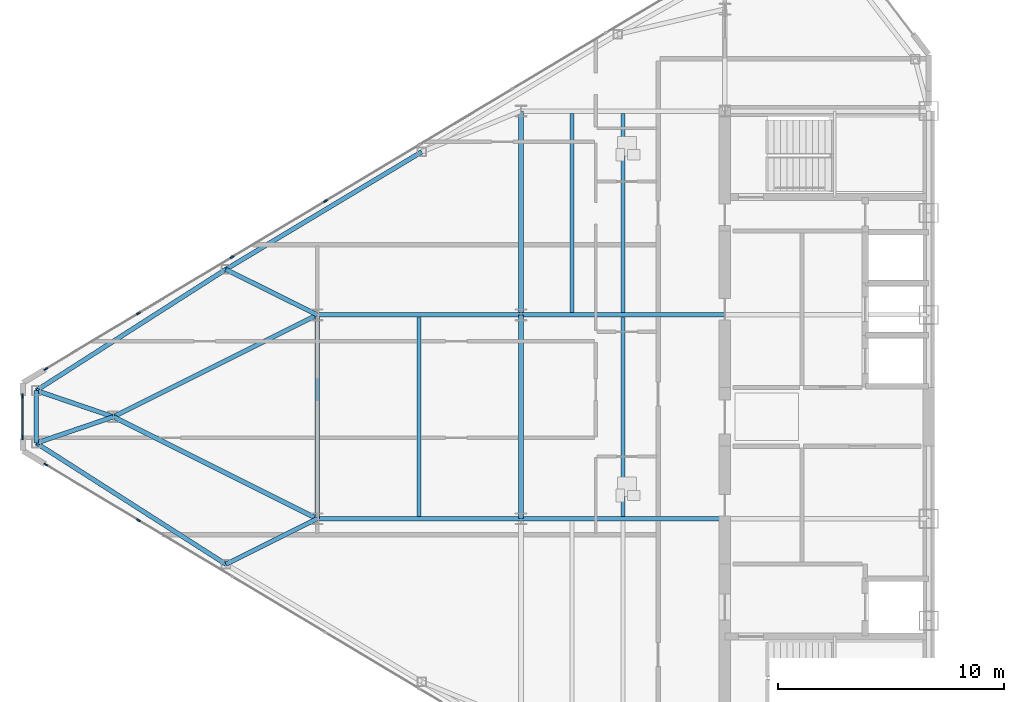
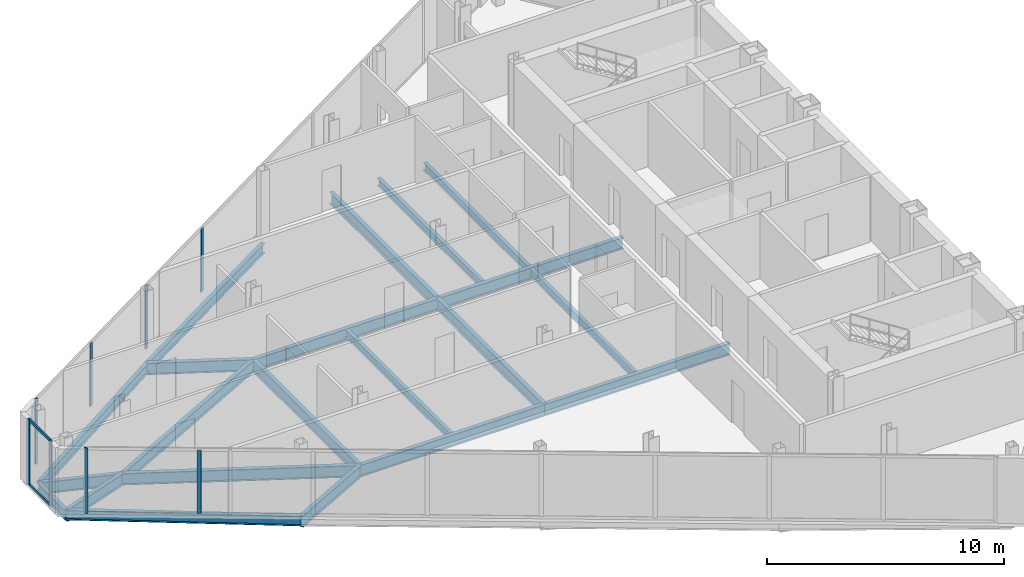
# One storey, part 7 of 25: 21 beams, 10 members, 3 elements without a shape of their own.
"""IFC4 building model written with IfcOpenShell, lengths in metres."""

from ifc_helpers import new_model, si_unit, direction, frame, origin, origin_2d, place, context, subcontext, project, spatial, rectangle, i_section, extrude, source, transform, mapped, material, layer, layer_set, material_profile, profile_set, type_object, type_shapes, element, aggregate, save


model = new_model("IFC4")

# Units and contexts
model_context = context("Model", 3, precision=1e-05, world=origin(), true_north=direction((0.0, 1.0)))
body_context = subcontext(model_context, "Body", "Model", "MODEL_VIEW")
ifc_project = project(units=[si_unit("LENGTHUNIT", "METRE"), si_unit("AREAUNIT", "SQUARE_METRE"), si_unit("VOLUMEUNIT", "CUBIC_METRE"), si_unit("PLANEANGLEUNIT", "RADIAN"), si_unit("MASSUNIT", "GRAM", prefix="KILO")], contexts=[model_context])

# Site, building, storey
site_placement = place(None, origin())
site = spatial("IfcSite", under=ifc_project, at=site_placement, CompositionType="ELEMENT")
building_placement = place(site_placement, origin())
building = spatial("IfcBuilding", under=site, at=building_placement, Name="Seokmaru Belvedere", CompositionType="ELEMENT")
storey_placement = place(building_placement, frame((0.0, 0.0, 213.89990234375)))
storey = spatial("IfcBuildingStorey", under=building, at=storey_placement, Name="L57", CompositionType="ELEMENT", Elevation=213.89990234375)

# Beams
ifc_material_1 = material(Name="Steel SM355 (355 MPa)", Category="steel")
ifc_material_profile_1 = material_profile(ifc_material_1, i_section(OverallWidth=0.199951171875, OverallDepth=0.60009765625, WebThickness=0.010986328125, FlangeThickness=0.01708984375, at=origin_2d()), Name="H-600x200x11x17")
ifc_profile_set_1 = profile_set([ifc_material_profile_1], Name="Steel SM355 (355 MPa)")
beam_type_1 = type_object("IfcBeamType", Name="Primary Floor Girder H-600", PredefinedType="BEAM", material=ifc_profile_set_1)
shared_shape_1 = source(origin(), body_context, "Body", "SweptSolid", [
    extrude(i_section(OverallWidth=0.199951171875, OverallDepth=0.60009765625, WebThickness=0.010986328125, FlangeThickness=0.01708984375, at=origin_2d()), origin(), (0.0, 0.0, 1.0), 9.0),
])
for number, where, z_axis, x_axis, name in (
    (1, (-45.5, -4.5, -0.52001953125), (0.0, 1.0, 0.0), (-1.0, 0.0, 0.0), "L57 W Interior Grid Girder 2"),
    (2, (-45.5, 4.5, -0.52001953125), (0.0, 1.0, 0.0), (-1.0, 0.0, 0.0), "L57 W Interior Grid Girder 3"),
    (3, (-45.5, -4.5, -0.52001953125), (1.0, 0.0, 0.0), (0.0, 1.0, 0.0), "L57 W Wing Primary Girder 2"),
    (4, (-45.5, 4.5, -0.52001953125), (1.0, 0.0, 0.0), (0.0, 1.0, 0.0), "L57 W Wing Primary Girder 3"),
    (5, (-54.5, -4.5, -0.52001953125), (1.0, 0.0, 0.0), (0.0, 1.0, 0.0), "L57 W Outer Wing Girder 1"),
    (6, (-54.5, 4.5, -0.52001953125), (1.0, 0.0, 0.0), (0.0, 1.0, 0.0), "L57 W Outer Wing Girder 2"),
    (7, (-54.5, -4.5, -0.52001953125), (0.0, 1.0, 0.0), (-1.0, 0.0, 0.0), "L57 W Apex Frame Girder"),
):
    element("IfcBeam", number, at=place(storey_placement, frame(where, z_axis=z_axis, x_axis=x_axis)), inside=storey, type_object=beam_type_1, Name=name, PredefinedType="BEAM", context=body_context, shape_type="MappedRepresentation", body=[
        mapped(shared_shape_1, transform((0.0, 0.0, 0.0), scale=1.0)),
    ])
shared_shape_2 = source(origin(), body_context, "Body", "SweptSolid", [
    extrude(i_section(OverallWidth=0.199951171875, OverallDepth=0.60009765625, WebThickness=0.010986328125, FlangeThickness=0.01708984375, at=origin_2d()), origin(), (0.0, 0.0, 1.0), 10.062255859375),
])
for number, where, z_axis, x_axis, name in (
    (8, (-54.5, -4.5, -0.52001953125), (-0.894427191, 0.4472135955, 0.0), (-0.4472135955, -0.894427191, 0.0), "L57 W Apex Converging Girder 1"),
    (9, (-54.5, 4.5, -0.52001953125), (-0.894427191, -0.4472135955, 0.0), (0.4472135955, -0.894427191, 0.0), "L57 W Apex Converging Girder 2"),
):
    element("IfcBeam", number, at=place(storey_placement, frame(where, z_axis=z_axis, x_axis=x_axis)), inside=storey, type_object=beam_type_1, Name=name, PredefinedType="BEAM", context=body_context, shape_type="MappedRepresentation", body=[
        mapped(shared_shape_2, transform((0.0, 0.0, 0.0), scale=1.0)),
    ])
ifc_material_profile_2 = material_profile(ifc_material_1, i_section(OverallWidth=0.18505859375, OverallDepth=0.389892578125, WebThickness=0.008056640625, FlangeThickness=0.011962890625, at=origin_2d()), Name="H-390x185x8x12")
ifc_profile_set_2 = profile_set([ifc_material_profile_2], Name="Steel SM355 (355 MPa)")
beam_type_2 = type_object("IfcBeamType", Name="Secondary Floor Joist H-350", PredefinedType="JOIST", material=ifc_profile_set_2)
shared_shape_3 = source(origin(), body_context, "Body", "SweptSolid", [
    extrude(i_section(OverallWidth=0.18505859375, OverallDepth=0.389892578125, WebThickness=0.008056640625, FlangeThickness=0.011962890625, at=origin_2d()), origin(), (0.0, 0.0, 1.0), 8.7900390625),
])
type_shapes(beam_type_2, [shared_shape_3])
for number, where, z_axis, x_axis, name in (
    (10, (-43.25, 4.60498046875, -0.414794921875), (0.0, 1.0, 0.0), (-1.0, 0.0, 0.0), "L57 W Wing Inner Secondary Joist 2"),
    (11, (-41.0, -4.39501953125, -0.414794921875), (0.0, 1.0, 0.0), (-1.0, 0.0, 0.0), "L57 W Secondary Floor Joist 2"),
    (12, (-41.0, 4.60498046875, -0.414794921875), (0.0, 1.0, 0.0), (-1.0, 0.0, 0.0), "L57 W Secondary Floor Joist 3"),
    (13, (-50.0, -4.39501953125, -0.414794921875), (0.0, 1.0, 0.0), (-1.0, 0.0, 0.0), "L57 W Outer Bay Secondary Joist"),
):
    element("IfcBeam", number, at=place(storey_placement, frame(where, z_axis=z_axis, x_axis=x_axis)), inside=storey, type_object=beam_type_2, Name=name, PredefinedType="JOIST", context=body_context, shape_type="MappedRepresentation", body=[
        mapped(shared_shape_3, transform((0.0, 0.0, 0.0), scale=1.0)),
    ])
ifc_material_profile_3 = material_profile(ifc_material_1, i_section(OverallWidth=0.199951171875, OverallDepth=0.5, WebThickness=0.010009765625, FlangeThickness=0.01611328125, at=origin_2d()), Name="H-500x200x10x16")
ifc_profile_set_3 = profile_set([ifc_material_profile_3], Name="Steel SM355 (355 MPa)")
beam_type_3 = type_object("IfcBeamType", Name="Perimeter Spandrel Beam H-500", PredefinedType="SPANDREL", material=ifc_profile_set_3)
shared_shape_4 = source(origin(), body_context, "Body", "SweptSolid", [
    extrude(i_section(OverallWidth=0.199951171875, OverallDepth=0.5, WebThickness=0.010009765625, FlangeThickness=0.01611328125, at=origin_2d()), origin(), (0.0, 0.0, 1.0), 10.087646484375),
])
beam_1_placement = place(storey_placement, frame((-49.8798828125, 11.698974609375, -0.469970703125), z_axis=(-0.857488654804, -0.514502873542, 0.0), x_axis=(0.514502873542, -0.857488654804, 0.0)))
element("IfcBeam", 14, at=beam_1_placement, inside=storey, type_object=beam_type_3, Name="L57 W Faceted Flank Spandrel N-3", PredefinedType="SPANDREL", context=body_context, shape_type="MappedRepresentation", body=[
    mapped(shared_shape_4, transform((0.0, 0.0, 0.0), scale=1.0)),
])
shared_shape_5 = source(origin(), body_context, "Body", "SweptSolid", [
    extrude(i_section(OverallWidth=0.199951171875, OverallDepth=0.5, WebThickness=0.010009765625, FlangeThickness=0.01611328125, at=origin_2d()), origin(), (0.0, 0.0, 1.0), 9.932861328125),
])
for number, where, z_axis, x_axis, name in (
    (15, (-58.530029296875, -6.5087890625, -0.469970703125), (-0.842651960357, 0.538458609093, 0.0), (-0.538458609093, -0.842651960357, 0.0), "L57 W Faceted Flank Spandrel S-4"),
    (16, (-58.530029296875, 6.5087890625, -0.469970703125), (-0.842651960357, -0.538458609093, 0.0), (0.538458609093, -0.842651960357, 0.0), "L57 W Faceted Flank Spandrel N-4"),
):
    element("IfcBeam", number, at=place(storey_placement, frame(where, z_axis=z_axis, x_axis=x_axis)), inside=storey, type_object=beam_type_3, Name=name, PredefinedType="SPANDREL", context=body_context, shape_type="MappedRepresentation", body=[
        mapped(shared_shape_5, transform((0.0, 0.0, 0.0), scale=1.0)),
    ])
shared_shape_6 = source(origin(), body_context, "Body", "SweptSolid", [
    extrude(i_section(OverallWidth=0.199951171875, OverallDepth=0.5, WebThickness=0.010009765625, FlangeThickness=0.01611328125, at=origin_2d()), origin(), (0.0, 0.0, 1.0), 2.32080078125),
])
type_shapes(beam_type_3, [shared_shape_4, shared_shape_5, shared_shape_6])
beam_2_placement = place(storey_placement, frame((-66.89990234375, -1.160400390625, -0.469970703125), z_axis=(0.0, 1.0, 0.0), x_axis=(-1.0, 0.0, 0.0)))
element("IfcBeam", 17, at=beam_2_placement, inside=storey, type_object=beam_type_3, Name="L57 W Faceted Apex Spandrel", PredefinedType="SPANDREL", context=body_context, shape_type="MappedRepresentation", body=[
    mapped(shared_shape_6, transform((0.0, 0.0, 0.0), scale=1.0)),
])
shared_shape_7 = source(origin(), body_context, "Body", "SweptSolid", [
    extrude(i_section(OverallWidth=0.199951171875, OverallDepth=0.60009765625, WebThickness=0.010986328125, FlangeThickness=0.01708984375, at=origin_2d()), origin(), (0.0, 0.0, 1.0), 4.5029296875),
])
for number, where, z_axis, x_axis, name in (
    (18, (-58.530029296875, -6.5087890625, -0.52001953125), (0.894979532585, 0.446107202648, 0.0), (-0.446107202648, 0.894979532585, 0.0), "L57 W Flank Radial Floor Girder S-3"),
    (19, (-58.530029296875, 6.5087890625, -0.52001953125), (0.894979532585, -0.446107202648, 0.0), (0.446107202648, 0.894979532585, 0.0), "L57 W Flank Radial Floor Girder N-3"),
):
    element("IfcBeam", number, at=place(storey_placement, frame(where, z_axis=z_axis, x_axis=x_axis)), inside=storey, type_object=beam_type_1, Name=name, PredefinedType="BEAM", context=body_context, shape_type="MappedRepresentation", body=[
        mapped(shared_shape_7, transform((0.0, 0.0, 0.0), scale=1.0)),
    ])
shared_shape_8 = source(origin(), body_context, "Body", "SweptSolid", [
    extrude(i_section(OverallWidth=0.199951171875, OverallDepth=0.60009765625, WebThickness=0.010986328125, FlangeThickness=0.01708984375, at=origin_2d()), origin(), (0.0, 0.0, 1.0), 3.592529296875),
])
type_shapes(beam_type_1, [shared_shape_1, shared_shape_2, shared_shape_7, shared_shape_8])
for number, where, z_axis, x_axis, name in (
    (20, (-66.89990234375, -1.160400390625, -0.52001953125), (0.946395973048, 0.323008764893, 0.0), (-0.323008764893, 0.946395973048, 0.0), "L57 W Apex Radial Floor Girder 1"),
    (21, (-66.89990234375, 1.160400390625, -0.52001953125), (0.946395973048, -0.323008764893, 0.0), (0.323008764893, 0.946395973048, 0.0), "L57 W Apex Radial Floor Girder 2"),
):
    element("IfcBeam", number, at=place(storey_placement, frame(where, z_axis=z_axis, x_axis=x_axis)), inside=storey, type_object=beam_type_1, Name=name, PredefinedType="BEAM", context=body_context, shape_type="MappedRepresentation", body=[
        mapped(shared_shape_8, transform((0.0, 0.0, 0.0), scale=1.0)),
    ])

# Curtain wall, members
ifc_material_2 = material(Name="Bronze Triple Insulating Glass", Category="glass")
ifc_layer = layer(ifc_material_2, 0.179931640625)
ifc_layer_set = layer_set([ifc_layer], Name="Bronze Triple Insulating Glass")
curtain_wall_type = type_object("IfcCurtainWallType", Name="High-Rise Wind-Corner Curtain Wall System CW-5", PredefinedType="NOTDEFINED", material=ifc_layer_set)
curtain_wall_1_placement = place(storey_placement, origin())
curtain_wall_1 = element("IfcCurtainWall", 22, at=curtain_wall_1_placement, inside=storey, type_object=curtain_wall_type, Name="L57 Curtain Wall WF3", PredefinedType="NOTDEFINED")
ifc_material_3 = material(Name="Anodised Bronze Aluminium", Category="aluminium")
ifc_material_profile_4 = material_profile(ifc_material_3, rectangle(XDim=0.06494140625, YDim=0.179931640625, at=origin_2d()), Name="CW-M-65x180")
ifc_profile_set_4 = profile_set([ifc_material_profile_4], Name="Anodised Bronze Aluminium")
member_type_1 = type_object("IfcMemberType", Name="Bronze Unitised Mullion 65x180", PredefinedType="MULLION", material=ifc_profile_set_4)
shared_shape_9 = source(origin(), body_context, "Body", "SweptSolid", [
    extrude(rectangle(XDim=0.06494140625, YDim=0.179931640625, at=origin_2d()), origin(), (0.0, 0.0, 1.0), 3.25),
])
member_1_placement = place(storey_placement, frame((-54.12841796875, 9.52294921875, 0.065185546875), z_axis=(0.0, 0.0, 1.0), x_axis=(0.514494909364, -0.85749343335, 0.0)))
member_1 = element("IfcMember", 23, at=member_1_placement, type_object=member_type_1, Name="CW:L57:WF3 Mullion 6", PredefinedType="MULLION", context=body_context, shape_type="MappedRepresentation", body=[
    mapped(shared_shape_9, transform((0.0, 0.0, 0.0), scale=1.0)),
])
member_2_placement = place(storey_placement, frame((-58.257080078125, 7.0458984375, 0.065185546875), z_axis=(0.0, 0.0, 1.0), x_axis=(0.514494909364, -0.85749343335, 0.0)))
member_2 = element("IfcMember", 24, at=member_2_placement, type_object=member_type_1, Name="CW:L57:WF3 Mullion 7", PredefinedType="MULLION", context=body_context, shape_type="MappedRepresentation", body=[
    mapped(shared_shape_9, transform((0.0, 0.0, 0.0), scale=1.0)),
])
member_3_placement = place(storey_placement, frame((-62.385498046875, 4.56884765625, 0.065185546875), z_axis=(0.0, 0.0, 1.0), x_axis=(0.514494909364, -0.85749343335, 0.0)))
member_3 = element("IfcMember", 25, at=member_3_placement, type_object=member_type_1, Name="CW:L57:WF3 Mullion 8", PredefinedType="MULLION", context=body_context, shape_type="MappedRepresentation", body=[
    mapped(shared_shape_9, transform((0.0, 0.0, 0.0), scale=1.0)),
])

# Curtain wall, member
curtain_wall_2_placement = place(storey_placement, origin())
curtain_wall_2 = element("IfcCurtainWall", 26, at=curtain_wall_2_placement, inside=storey, type_object=curtain_wall_type, Name="L57 Curtain Wall WF5", PredefinedType="NOTDEFINED")
member_4_placement = place(storey_placement, frame((-62.385498046875, -4.56884765625, 0.065185546875), z_axis=(0.0, 0.0, 1.0), x_axis=(0.514494909364, 0.85749343335, 0.0)))
member_4 = element("IfcMember", 27, at=member_4_placement, type_object=member_type_1, Name="CW:L57:WF5 Mullion 2", PredefinedType="MULLION", context=body_context, shape_type="MappedRepresentation", body=[
    mapped(shared_shape_9, transform((0.0, 0.0, 0.0), scale=1.0)),
])

# Member
shared_shape_10 = source(origin(), body_context, "Body", "SweptSolid", [
    extrude(rectangle(XDim=0.06494140625, YDim=0.179931640625, at=origin_2d()), origin(), (0.0, 0.0, 1.0), 3.380126953125),
])
type_shapes(member_type_1, [shared_shape_9, shared_shape_10])
member_5_placement = place(storey_placement, frame((-66.486083984375, 2.1083984375, 0.0), z_axis=(0.0, 0.0, 1.0), x_axis=(0.514494909364, -0.85749343335, 0.0)))
member_5 = element("IfcMember", 28, at=member_5_placement, type_object=member_type_1, Name="CW:L57:WF3 Mullion 9", PredefinedType="MULLION", context=body_context, shape_type="MappedRepresentation", body=[
    mapped(shared_shape_10, transform((0.0, 0.0, 0.0), scale=1.0)),
])

aggregate(curtain_wall_1, [member_1, member_2, member_3, member_5])

# Curtain wall, members
curtain_wall_3_placement = place(storey_placement, origin())
curtain_wall_3 = element("IfcCurtainWall", 29, at=curtain_wall_3_placement, inside=storey, type_object=curtain_wall_type, Name="L57 Curtain Wall WF4", PredefinedType="NOTDEFINED")
member_6_placement = place(storey_placement, frame((-67.5, 0.91748046875, 0.0), z_axis=(0.0, 0.0, 1.0), x_axis=(1.0, 0.0, 0.0)))
member_6 = element("IfcMember", 30, at=member_6_placement, type_object=member_type_1, Name="CW:L57:WF4 Mullion 1", PredefinedType="MULLION", context=body_context, shape_type="MappedRepresentation", body=[
    mapped(shared_shape_10, transform((0.0, 0.0, 0.0), scale=1.0)),
])
member_7_placement = place(storey_placement, frame((-67.5, -0.91748046875, 0.0), z_axis=(0.0, 0.0, 1.0), x_axis=(1.0, 0.0, 0.0)))
member_7 = element("IfcMember", 31, at=member_7_placement, type_object=member_type_1, Name="CW:L57:WF4 Mullion 2", PredefinedType="MULLION", context=body_context, shape_type="MappedRepresentation", body=[
    mapped(shared_shape_10, transform((0.0, 0.0, 0.0), scale=1.0)),
])

# Member
member_8_placement = place(storey_placement, frame((-66.486083984375, -2.1083984375, 0.0), z_axis=(0.0, 0.0, 1.0), x_axis=(0.514494909364, 0.85749343335, 0.0)))
member_8 = element("IfcMember", 32, at=member_8_placement, type_object=member_type_1, Name="CW:L57:WF5 Mullion 1", PredefinedType="MULLION", context=body_context, shape_type="MappedRepresentation", body=[
    mapped(shared_shape_10, transform((0.0, 0.0, 0.0), scale=1.0)),
])

aggregate(curtain_wall_2, [member_8, member_4])

ifc_material_profile_5 = material_profile(ifc_material_3, rectangle(XDim=0.06494140625, YDim=0.14990234375, at=origin_2d()), Name="CW-T-65x150")
ifc_profile_set_5 = profile_set([ifc_material_profile_5], Name="Anodised Bronze Aluminium")
member_type_2 = type_object("IfcMemberType", Name="Bronze Unitised Transom 65x150", PredefinedType="USERDEFINED", material=ifc_profile_set_5)
shared_shape_11 = source(origin(), body_context, "Body", "SweptSolid", [
    extrude(rectangle(XDim=0.06494140625, YDim=0.14990234375, at=origin_2d()), origin(), (0.0, 0.0, 1.0), 1.77001953125),
])
type_shapes(member_type_2, [shared_shape_11])
member_9_placement = place(storey_placement, frame((-67.5, 0.885009765625, 0.03271484375), z_axis=(0.0, -1.0, 0.0), x_axis=(1.0, 0.0, 0.0)))
member_9 = element("IfcMember", 33, at=member_9_placement, type_object=member_type_2, Name="CW:L57:WF4 Continuous Transom 1", ObjectType="TRANSOM", PredefinedType="USERDEFINED", context=body_context, shape_type="MappedRepresentation", body=[
    mapped(shared_shape_11, transform((0.0, 0.0, 0.0), scale=1.0)),
])

member_10_placement = place(storey_placement, frame((-67.5, 0.885009765625, 3.34765625), z_axis=(0.0, -1.0, 0.0), x_axis=(1.0, 0.0, 0.0)))
member_10 = element("IfcMember", 34, at=member_10_placement, type_object=member_type_2, Name="CW:L57:WF4 Continuous Transom 2", ObjectType="TRANSOM", PredefinedType="USERDEFINED", context=body_context, shape_type="MappedRepresentation", body=[
    mapped(shared_shape_11, transform((0.0, 0.0, 0.0), scale=1.0)),
])

aggregate(curtain_wall_3, [member_6, member_7, member_9, member_10])

save(model, "model.ifc")
